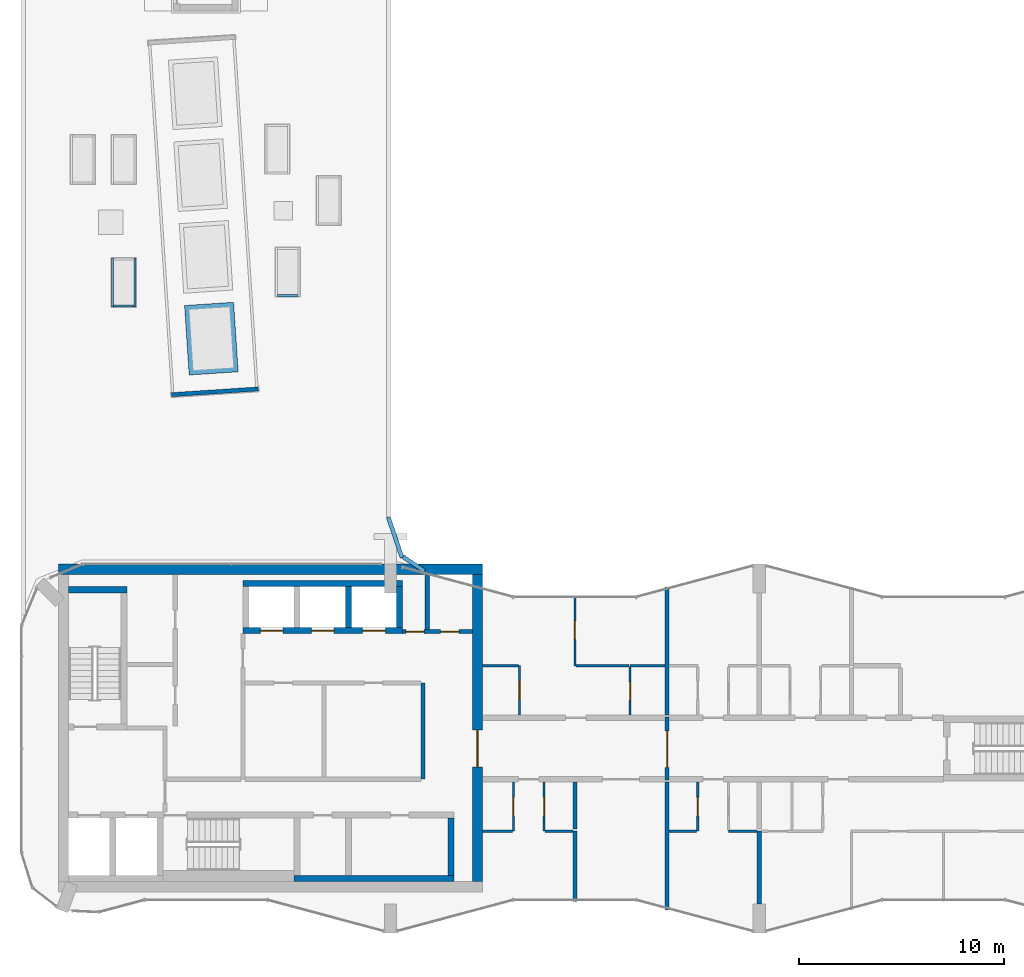
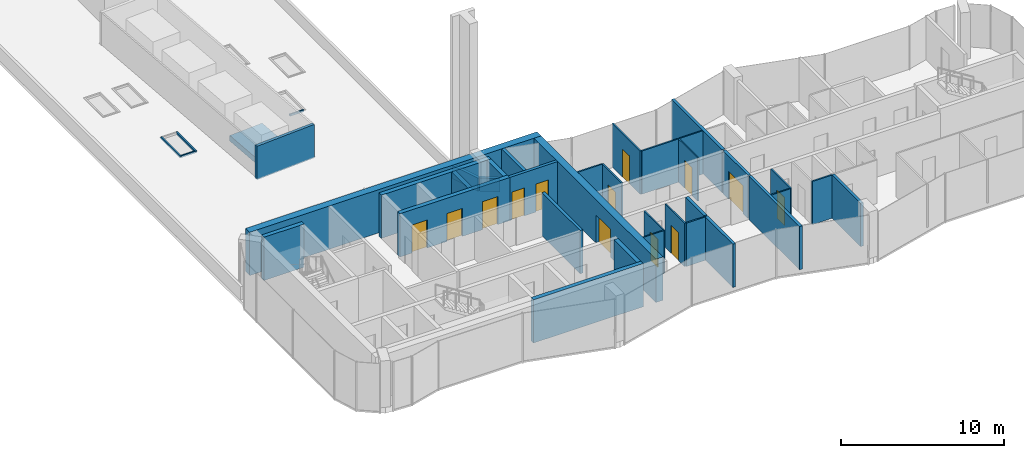
# One storey, part 8 of 13: 39 walls, 13 doors, 13 openings.
"""IFC4 building model written with IfcOpenShell, lengths in metres."""

from ifc_helpers import new_model, si_unit, direction, frame, frame_2d, origin, place, context, subcontext, project, spatial, rectangle, extrude, material, layer, layer_set, type_object, element, fill, save


model = new_model("IFC4")

# Units and contexts
model_context = context("Model", 3, precision=1e-05, world=origin(), true_north=direction((0.0, 1.0)))
body_context = subcontext(model_context, "Body", "Model", "MODEL_VIEW")
ifc_project = project(units=[si_unit("LENGTHUNIT", "METRE"), si_unit("AREAUNIT", "SQUARE_METRE"), si_unit("VOLUMEUNIT", "CUBIC_METRE"), si_unit("PLANEANGLEUNIT", "RADIAN"), si_unit("MASSUNIT", "GRAM", prefix="KILO")], contexts=[model_context])

# Site, building, storey
site_placement = place(None, origin())
site = spatial("IfcSite", under=ifc_project, at=site_placement, CompositionType="ELEMENT")
building_placement = place(site_placement, origin())
building = spatial("IfcBuilding", under=site, at=building_placement, Name="Plateau Cross Towers", CompositionType="ELEMENT")
storey_placement = place(building_placement, frame((0.0, 0.0, 229.39990234375)))
storey = spatial("IfcBuildingStorey", under=building, at=storey_placement, Name="L60", CompositionType="ELEMENT", Elevation=229.39990234375)

# Wall
ifc_material_1 = material(Name="Concrete block, plastered both sides", Category="concrete")
ifc_layer_1 = layer(ifc_material_1, 0.199951171875)
ifc_layer_set_1 = layer_set([ifc_layer_1], Name="Concrete block, plastered both sides")
wall_type_1 = type_object("IfcWallType", Name="Core partition 200", PredefinedType="PARTITIONING", material=ifc_layer_set_1)
wall_1_placement = place(storey_placement, frame((19.60009765625, 7.5, 0.0), z_axis=(0.0, 0.0, 1.0), x_axis=(0.0, 1.0, 0.0)))
element("IfcWall", 1, at=wall_1_placement, inside=storey, type_object=wall_type_1, Name="Core partition", PredefinedType="PARTITIONING", context=body_context, shape_type="SweptSolid", body=[
    extrude(rectangle(XDim=4.699951171875, YDim=0.199951171875, at=frame_2d((2.35009765625, 0.0))), origin(), (0.0, 0.0, 1.0), 3.25),
])

# Wall, openings, doors
wall_2_placement = place(storey_placement, frame((18.60009765625, 14.699951171875, 0.0), z_axis=(0.0, 0.0, 1.0), x_axis=(1.0, 0.0, 0.0)))
wall_2 = element("IfcWall", 2, at=wall_2_placement, inside=storey, type_object=wall_type_1, Name="Core partition", PredefinedType="PARTITIONING", context=body_context, shape_type="SweptSolid", body=[
    extrude(rectangle(XDim=3.39990234375, YDim=0.199951171875, at=frame_2d((1.699951171875, 0.0))), origin(), (0.0, 0.0, 1.0), 3.25),
])
opening_1_placement = place(wall_2_placement, frame((0.14990234375, 0.0, 0.0)))
opening_1 = element("IfcOpeningElement", 3, at=opening_1_placement, cuts=wall_2, Name="Opening RD2", PredefinedType="OPENING", context=body_context, shape_type="SweptSolid", body=[
    extrude(rectangle(XDim=0.89990234375, YDim=2.10009765625, at=frame_2d((0.449951171875, 1.050048828125))), frame((0.0, 0.10986328125, 0.0), z_axis=(0.0, -1.0, 0.0), x_axis=(1.0, 0.0, 0.0)), (0.0, 0.0, 1.0), 0.219970703125),
])
opening_2_placement = place(wall_2_placement, frame((1.85009765625, 0.0, 0.0)))
opening_2 = element("IfcOpeningElement", 4, at=opening_2_placement, cuts=wall_2, Name="Opening RD2", PredefinedType="OPENING", context=body_context, shape_type="SweptSolid", body=[
    extrude(rectangle(XDim=0.89990234375, YDim=2.10009765625, at=frame_2d((0.449951171875, 1.050048828125))), frame((0.0, 0.10986328125, 0.0), z_axis=(0.0, -1.0, 0.0), x_axis=(1.0, 0.0, 0.0)), (0.0, 0.0, 1.0), 0.219970703125),
])
ifc_material_2 = material(Name="Steel, fire-resisting leaf", Category="steel")
door_type_1 = type_object("IfcDoorType", Name="Core riser door 900", OperationType="NOTDEFINED", PredefinedType="DOOR", material=ifc_material_2)
door_1_placement = place(opening_1_placement, origin())
door_1 = element("IfcDoor", 5, at=door_1_placement, inside=storey, type_object=door_type_1, Name="Core riser door RD2", OperationType="SINGLE_SWING_LEFT", OverallHeight=2.10009765625, OverallWidth=0.89990234375, PredefinedType="DOOR", context=body_context, shape_type="SweptSolid", body=[
    extrude(rectangle(XDim=0.89990234375, YDim=2.10009765625, at=frame_2d((0.449951171875, 1.050048828125))), frame((0.0, 0.02490234375, 0.0), z_axis=(0.0, -1.0, 0.0), x_axis=(1.0, 0.0, 0.0)), (0.0, 0.0, 1.0), 0.050048828125),
])
fill(opening_1, door_1)
door_2_placement = place(opening_2_placement, origin())
door_2 = element("IfcDoor", 6, at=door_2_placement, inside=storey, type_object=door_type_1, Name="Core riser door RD2", OperationType="SINGLE_SWING_LEFT", OverallHeight=2.10009765625, OverallWidth=0.89990234375, PredefinedType="DOOR", context=body_context, shape_type="SweptSolid", body=[
    extrude(rectangle(XDim=0.89990234375, YDim=2.10009765625, at=frame_2d((0.449951171875, 1.050048828125))), frame((0.0, 0.02490234375, 0.0), z_axis=(0.0, -1.0, 0.0), x_axis=(1.0, 0.0, 0.0)), (0.0, 0.0, 1.0), 0.050048828125),
])
fill(opening_2, door_2)

# Walls
wall_3_placement = place(storey_placement, frame((19.800048828125, 14.800048828125, 0.0), z_axis=(0.0, 0.0, 1.0), x_axis=(0.0, 1.0, 0.0)))
element("IfcWall", 7, at=wall_3_placement, inside=storey, type_object=wall_type_1, Name="Core partition", PredefinedType="PARTITIONING", context=body_context, shape_type="SweptSolid", body=[
    extrude(rectangle(XDim=2.699951171875, YDim=0.199951171875, at=frame_2d((1.35009765625, 0.0))), origin(), (0.0, 0.0, 1.0), 3.25),
])
ifc_material_3 = material(Name="Concrete C60/75", Category="concrete")
ifc_layer_2 = layer(ifc_material_3, 0.300048828125)
ifc_layer_set_2 = layer_set([ifc_layer_2], Name="Concrete C60/75")
wall_type_2 = type_object("IfcWallType", Name="Core shaft wall 300", PredefinedType="SHEAR", material=ifc_layer_set_2)
wall_4_placement = place(storey_placement, frame((13.300048828125, 2.64990234375, 0.0), z_axis=(0.0, 0.0, 1.0), x_axis=(1.0, 0.0, 0.0)))
element("IfcWall", 8, at=wall_4_placement, inside=storey, type_object=wall_type_2, Name="A-sb-back3@L60", PredefinedType="SHEAR", context=body_context, shape_type="SweptSolid", body=[
    extrude(rectangle(XDim=7.800048828125, YDim=0.300048828125, at=frame_2d((3.89990234375, 0.0))), origin(), (0.0, 0.0, 1.0), 3.25),
])
wall_5_placement = place(storey_placement, frame((20.949951171875, 2.800048828125, 0.0), z_axis=(0.0, 0.0, 1.0), x_axis=(0.0, 1.0, 0.0)))
element("IfcWall", 9, at=wall_5_placement, inside=storey, type_object=wall_type_2, Name="A-sb-v6@L60", PredefinedType="SHEAR", context=body_context, shape_type="SweptSolid", body=[
    extrude(rectangle(XDim=2.800048828125, YDim=0.300048828125, at=frame_2d((1.39990234375, 0.0))), origin(), (0.0, 0.0, 1.0), 3.25),
])
wall_6_placement = place(storey_placement, frame((2.300048828125, 16.75, 0.0), z_axis=(0.0, 0.0, 1.0), x_axis=(1.0, 0.0, 0.0)))
element("IfcWall", 10, at=wall_6_placement, inside=storey, type_object=wall_type_2, Name="A-st1-N@L60", PredefinedType="SHEAR", context=body_context, shape_type="SweptSolid", body=[
    extrude(rectangle(XDim=2.849853515625, YDim=0.300048828125, at=frame_2d((1.4248046875, 0.0))), origin(), (0.0, 0.0, 1.0), 3.25),
])
wall_7_placement = place(storey_placement, frame((10.800048828125, 17.050048828125, 0.0), z_axis=(0.0, 0.0, 1.0), x_axis=(1.0, 0.0, 0.0)))
element("IfcWall", 11, at=wall_7_placement, inside=storey, type_object=wall_type_2, Name="A-nb-back@L60", PredefinedType="SHEAR", context=body_context, shape_type="SweptSolid", body=[
    extrude(rectangle(XDim=7.800048828125, YDim=0.300048828125, at=frame_2d((3.89990234375, 0.0))), origin(), (0.0, 0.0, 1.0), 3.25),
])

# Wall, openings, doors
wall_8_placement = place(storey_placement, frame((10.800048828125, 14.75, 0.0), z_axis=(0.0, 0.0, 1.0), x_axis=(1.0, 0.0, 0.0)))
wall_8 = element("IfcWall", 12, at=wall_8_placement, inside=storey, type_object=wall_type_2, Name="A-nb-front@L60", PredefinedType="SHEAR", context=body_context, shape_type="SweptSolid", body=[
    extrude(rectangle(XDim=7.800048828125, YDim=0.300048828125, at=frame_2d((3.89990234375, 0.0))), origin(), (0.0, 0.0, 1.0), 3.25),
])
opening_3_placement = place(wall_8_placement, frame((0.85009765625, 0.0, 0.0)))
opening_3 = element("IfcOpeningElement", 13, at=opening_3_placement, cuts=wall_8, Name="Opening LD", PredefinedType="OPENING", context=body_context, shape_type="SweptSolid", body=[
    extrude(rectangle(XDim=1.10009765625, YDim=2.10009765625, at=frame_2d((0.550048828125, 1.050048828125))), frame((0.0, 0.159912109375, 0.0), z_axis=(0.0, -1.0, 0.0), x_axis=(1.0, 0.0, 0.0)), (0.0, 0.0, 1.0), 0.320068359375),
])
opening_4_placement = place(wall_8_placement, frame((3.35009765625, 0.0, 0.0)))
opening_4 = element("IfcOpeningElement", 14, at=opening_4_placement, cuts=wall_8, Name="Opening LD", PredefinedType="OPENING", context=body_context, shape_type="SweptSolid", body=[
    extrude(rectangle(XDim=1.10009765625, YDim=2.10009765625, at=frame_2d((0.550048828125, 1.050048828125))), frame((0.0, 0.159912109375, 0.0), z_axis=(0.0, -1.0, 0.0), x_axis=(1.0, 0.0, 0.0)), (0.0, 0.0, 1.0), 0.320068359375),
])
opening_5_placement = place(wall_8_placement, frame((5.85009765625, 0.0, 0.0)))
opening_5 = element("IfcOpeningElement", 15, at=opening_5_placement, cuts=wall_8, Name="Opening LD", PredefinedType="OPENING", context=body_context, shape_type="SweptSolid", body=[
    extrude(rectangle(XDim=1.10009765625, YDim=2.10009765625, at=frame_2d((0.550048828125, 1.050048828125))), frame((0.0, 0.159912109375, 0.0), z_axis=(0.0, -1.0, 0.0), x_axis=(1.0, 0.0, 0.0)), (0.0, 0.0, 1.0), 0.320068359375),
])
ifc_material_4 = material(Name="Stainless steel, fire-resisting sliding leaves", Category="steel")
door_type_2 = type_object("IfcDoorType", Name="Lift landing door 1100", OperationType="NOTDEFINED", PredefinedType="DOOR", material=ifc_material_4)
door_3_placement = place(opening_3_placement, origin())
door_3 = element("IfcDoor", 16, at=door_3_placement, inside=storey, type_object=door_type_2, Name="Lift landing door LD", OperationType="DOUBLE_DOOR_SLIDING", OverallHeight=2.10009765625, OverallWidth=1.10009765625, PredefinedType="DOOR", context=body_context, shape_type="SweptSolid", body=[
    extrude(rectangle(XDim=1.10009765625, YDim=2.10009765625, at=frame_2d((0.550048828125, 1.050048828125))), frame((0.0, 0.02490234375, 0.0), z_axis=(0.0, -1.0, 0.0), x_axis=(1.0, 0.0, 0.0)), (0.0, 0.0, 1.0), 0.050048828125),
])
fill(opening_3, door_3)
door_4_placement = place(opening_4_placement, origin())
door_4 = element("IfcDoor", 17, at=door_4_placement, inside=storey, type_object=door_type_2, Name="Lift landing door LD", OperationType="DOUBLE_DOOR_SLIDING", OverallHeight=2.10009765625, OverallWidth=1.10009765625, PredefinedType="DOOR", context=body_context, shape_type="SweptSolid", body=[
    extrude(rectangle(XDim=1.10009765625, YDim=2.10009765625, at=frame_2d((0.550048828125, 1.050048828125))), frame((0.0, 0.02490234375, 0.0), z_axis=(0.0, -1.0, 0.0), x_axis=(1.0, 0.0, 0.0)), (0.0, 0.0, 1.0), 0.050048828125),
])
fill(opening_4, door_4)
door_5_placement = place(opening_5_placement, origin())
door_5 = element("IfcDoor", 18, at=door_5_placement, inside=storey, type_object=door_type_2, Name="Lift landing door LD", OperationType="DOUBLE_DOOR_SLIDING", OverallHeight=2.10009765625, OverallWidth=1.10009765625, PredefinedType="DOOR", context=body_context, shape_type="SweptSolid", body=[
    extrude(rectangle(XDim=1.10009765625, YDim=2.10009765625, at=frame_2d((0.550048828125, 1.050048828125))), frame((0.0, 0.02490234375, 0.0), z_axis=(0.0, -1.0, 0.0), x_axis=(1.0, 0.0, 0.0)), (0.0, 0.0, 1.0), 0.050048828125),
])
fill(opening_5, door_5)

# Walls
for number, where, z_axis, x_axis, name in (
    (19, (15.949951171875, 14.89990234375, 0.0), (0.0, 0.0, 1.0), (0.0, 1.0, 0.0), "A-nb-v3@L60"),
    (20, (18.449951171875, 14.89990234375, 0.0), (0.0, 0.0, 1.0), (0.0, 1.0, 0.0), "A-nb-v4@L60"),
):
    element("IfcWall", number, at=place(storey_placement, frame(where, z_axis=z_axis, x_axis=x_axis)), inside=storey, type_object=wall_type_2, Name=name, PredefinedType="SHEAR", context=body_context, shape_type="SweptSolid", body=[
        extrude(rectangle(XDim=2.0, YDim=0.300048828125, at=frame_2d((1.0, 0.0))), origin(), (0.0, 0.0, 1.0), 3.25),
    ])
ifc_layer_3 = layer(ifc_material_3, 0.5)
ifc_layer_set_3 = layer_set([ifc_layer_3], Name="Concrete C60/75")
wall_type_3 = type_object("IfcWallType", Name="Core shell wall 500", PredefinedType="SHEAR", material=ifc_layer_set_3)
wall_9_placement = place(storey_placement, frame((1.800048828125, 17.75, 0.0), z_axis=(0.0, 0.0, 1.0), x_axis=(1.0, 0.0, 0.0)))
element("IfcWall", 21, at=wall_9_placement, inside=storey, type_object=wall_type_3, Name="A-core-N@L60", PredefinedType="SHEAR", context=body_context, shape_type="SweptSolid", body=[
    extrude(rectangle(XDim=20.699951171875, YDim=0.5, at=frame_2d((10.35009765625, 0.0))), origin(), (0.0, 0.0, 1.0), 3.25),
])

# Wall, opening, door
wall_10_placement = place(storey_placement, frame((22.25, 2.5, 0.0), z_axis=(0.0, 0.0, 1.0), x_axis=(0.0, 1.0, 0.0)))
wall_10 = element("IfcWall", 22, at=wall_10_placement, inside=storey, type_object=wall_type_3, Name="A-core-E@L60", PredefinedType="SHEAR", context=body_context, shape_type="SweptSolid", body=[
    extrude(rectangle(XDim=15.0, YDim=0.5, at=frame_2d((7.5, 0.0))), origin(), (0.0, 0.0, 1.0), 3.25),
])
opening_6_placement = place(wall_10_placement, frame((5.60009765625, 0.0, 0.0)))
opening_6 = element("IfcOpeningElement", 23, at=opening_6_placement, cuts=wall_10, Name="Opening CD", PredefinedType="OPENING", context=body_context, shape_type="SweptSolid", body=[
    extrude(rectangle(XDim=1.800048828125, YDim=2.10009765625, at=frame_2d((0.89990234375, 1.050048828125))), frame((0.0, 0.260009765625, 0.0), z_axis=(0.0, -1.0, 0.0), x_axis=(1.0, 0.0, 0.0)), (0.0, 0.0, 1.0), 0.52001953125),
])
ifc_material_5 = material(Name="Steel, fire-resisting leaves", Category="steel")
door_type_3 = type_object("IfcDoorType", Name="Corridor door pair 1800", OperationType="NOTDEFINED", PredefinedType="DOOR", material=ifc_material_5)
door_6_placement = place(opening_6_placement, origin())
door_6 = element("IfcDoor", 24, at=door_6_placement, inside=storey, type_object=door_type_3, Name="Corridor door pair CD", OperationType="DOUBLE_DOOR_SINGLE_SWING", OverallHeight=2.10009765625, OverallWidth=1.800048828125, PredefinedType="DOOR", context=body_context, shape_type="SweptSolid", body=[
    extrude(rectangle(XDim=1.800048828125, YDim=2.10009765625, at=frame_2d((0.89990234375, 1.050048828125))), frame((0.0, 0.02490234375, 0.0), z_axis=(0.0, -1.0, 0.0), x_axis=(1.0, 0.0, 0.0)), (0.0, 0.0, 1.0), 0.050048828125),
])
fill(opening_6, door_6)

# Walls
ifc_material_6 = material(Name="Gypsum board on steel studs", Category="steel")
ifc_layer_4 = layer(ifc_material_6, 0.10009765625)
ifc_layer_set_4 = layer_set([ifc_layer_4], Name="Gypsum board on steel studs")
wall_type_4 = type_object("IfcWallType", Name="Flat partition 100", PredefinedType="PARTITIONING", material=ifc_layer_set_4)
wall_11_placement = place(storey_placement, frame((22.5, 4.96240234375, 0.0), z_axis=(0.0, 0.0, 1.0), x_axis=(1.0, 0.0, 0.0)))
element("IfcWall", 25, at=wall_11_placement, inside=storey, type_object=wall_type_4, Name="Partition wall", PredefinedType="PARTITIONING", context=body_context, shape_type="SweptSolid", body=[
    extrude(rectangle(XDim=1.449951171875, YDim=0.10009765625, at=frame_2d((0.72509765625, 0.0))), origin(), (0.0, 0.0, 1.0), 3.25),
])
for number, where, z_axis, x_axis, name in (
    (26, (25.550048828125, 4.96240234375, 0.0), (0.0, 0.0, 1.0), (1.0, 0.0, 0.0), "Partition wall"),
    (27, (31.60009765625, 4.96240234375, 0.0), (0.0, 0.0, 1.0), (1.0, 0.0, 0.0), "Partition wall"),
):
    element("IfcWall", number, at=place(storey_placement, frame(where, z_axis=z_axis, x_axis=x_axis)), inside=storey, type_object=wall_type_4, Name=name, PredefinedType="PARTITIONING", context=body_context, shape_type="SweptSolid", body=[
        extrude(rectangle(XDim=1.349853515625, YDim=0.10009765625, at=frame_2d((0.6748046875, 0.0))), origin(), (0.0, 0.0, 1.0), 3.25),
    ])
wall_12_placement = place(storey_placement, frame((34.5, 4.96240234375, 0.0), z_axis=(0.0, 0.0, 1.0), x_axis=(1.0, 0.0, 0.0)))
element("IfcWall", 28, at=wall_12_placement, inside=storey, type_object=wall_type_4, Name="Partition wall", PredefinedType="PARTITIONING", context=body_context, shape_type="SweptSolid", body=[
    extrude(rectangle(XDim=1.39990234375, YDim=0.10009765625, at=frame_2d((0.699951171875, 0.0))), origin(), (0.0, 0.0, 1.0), 3.25),
])
wall_13_placement = place(storey_placement, frame((24.25, 13.03759765625, 0.0), z_axis=(0.0, 0.0, 1.0), x_axis=(-1.0, 0.0, 0.0)))
element("IfcWall", 29, at=wall_13_placement, inside=storey, type_object=wall_type_4, Name="Partition wall", PredefinedType="PARTITIONING", context=body_context, shape_type="SweptSolid", body=[
    extrude(rectangle(XDim=1.75, YDim=0.10009765625, at=frame_2d((0.875, 0.0))), origin(), (0.0, 0.0, 1.0), 3.25),
])
wall_14_placement = place(storey_placement, frame((31.39990234375, 13.03759765625, 0.0), z_axis=(0.0, 0.0, 1.0), x_axis=(-1.0, 0.0, 0.0)))
element("IfcWall", 30, at=wall_14_placement, inside=storey, type_object=wall_type_4, Name="Partition wall", PredefinedType="PARTITIONING", context=body_context, shape_type="SweptSolid", body=[
    extrude(rectangle(XDim=1.699951171875, YDim=0.10009765625, at=frame_2d((0.85009765625, 0.0))), origin(), (0.0, 0.0, 1.0), 3.25),
])
wall_15_placement = place(storey_placement, frame((27.050048828125, 13.03759765625, 0.0), z_axis=(0.0, 0.0, 1.0), x_axis=(1.0, 0.0, 0.0)))
element("IfcWall", 31, at=wall_15_placement, inside=storey, type_object=wall_type_4, Name="Partition wall", PredefinedType="PARTITIONING", context=body_context, shape_type="SweptSolid", body=[
    extrude(rectangle(XDim=2.599853515625, YDim=0.10009765625, at=frame_2d((1.2998046875, 0.0))), origin(), (0.0, 0.0, 1.0), 3.25),
])

# Wall, opening, door
wall_16_placement = place(storey_placement, frame((24.0, 4.96240234375, 0.0), z_axis=(0.0, 0.0, 1.0), x_axis=(0.0, 1.0, 0.0)))
wall_16 = element("IfcWall", 32, at=wall_16_placement, inside=storey, type_object=wall_type_4, Name="Partition wall", PredefinedType="PARTITIONING", context=body_context, shape_type="SweptSolid", body=[
    extrude(rectangle(XDim=2.400146484375, YDim=0.10009765625, at=frame_2d((1.2001953125, 0.0))), origin(), (0.0, 0.0, 1.0), 3.25),
])
opening_7_placement = place(wall_16_placement, frame((0.75, 0.0, 0.0)))
opening_7 = element("IfcOpeningElement", 33, at=opening_7_placement, cuts=wall_16, Name="Opening 60-12", PredefinedType="OPENING", context=body_context, shape_type="SweptSolid", body=[
    extrude(rectangle(XDim=0.89990234375, YDim=2.10009765625, at=frame_2d((0.449951171875, 1.050048828125))), frame((0.0, 0.06005859375, 0.0), z_axis=(0.0, -1.0, 0.0), x_axis=(1.0, 0.0, 0.0)), (0.0, 0.0, 1.0), 0.1201171875),
])
ifc_material_7 = material(Name="Timber leaf", Category="wood")
door_type_4 = type_object("IfcDoorType", Name="Flat room door 900", OperationType="NOTDEFINED", PredefinedType="DOOR", material=ifc_material_7)
door_7_placement = place(opening_7_placement, origin())
door_7 = element("IfcDoor", 34, at=door_7_placement, inside=storey, type_object=door_type_4, Name="Door 60-12", OperationType="SINGLE_SWING_RIGHT", OverallHeight=2.10009765625, OverallWidth=0.89990234375, PredefinedType="DOOR", context=body_context, shape_type="SweptSolid", body=[
    extrude(rectangle(XDim=0.89990234375, YDim=2.10009765625, at=frame_2d((0.449951171875, 1.050048828125))), frame((0.0, 0.02490234375, 0.0), z_axis=(0.0, -1.0, 0.0), x_axis=(1.0, 0.0, 0.0)), (0.0, 0.0, 1.0), 0.050048828125),
])
fill(opening_7, door_7)

wall_17_placement = place(storey_placement, frame((24.300048828125, 10.637451171875, 0.0), z_axis=(0.0, 0.0, 1.0), x_axis=(0.0, 1.0, 0.0)))
wall_17 = element("IfcWall", 35, at=wall_17_placement, inside=storey, type_object=wall_type_4, Name="Partition wall", PredefinedType="PARTITIONING", context=body_context, shape_type="SweptSolid", body=[
    extrude(rectangle(XDim=2.400146484375, YDim=0.10009765625, at=frame_2d((1.2001953125, 0.0))), origin(), (0.0, 0.0, 1.0), 3.25),
])
opening_8_placement = place(wall_17_placement, frame((0.75, 0.0, 0.0)))
opening_8 = element("IfcOpeningElement", 36, at=opening_8_placement, cuts=wall_17, Name="Opening 60-21", PredefinedType="OPENING", context=body_context, shape_type="SweptSolid", body=[
    extrude(rectangle(XDim=0.89990234375, YDim=2.10009765625, at=frame_2d((0.449951171875, 1.050048828125))), frame((0.0, 0.06005859375, 0.0), z_axis=(0.0, -1.0, 0.0), x_axis=(1.0, 0.0, 0.0)), (0.0, 0.0, 1.0), 0.1201171875),
])
door_8_placement = place(opening_8_placement, origin())
door_8 = element("IfcDoor", 37, at=door_8_placement, inside=storey, type_object=door_type_4, Name="Door 60-21", OperationType="SINGLE_SWING_LEFT", OverallHeight=2.10009765625, OverallWidth=0.89990234375, PredefinedType="DOOR", context=body_context, shape_type="SweptSolid", body=[
    extrude(rectangle(XDim=0.89990234375, YDim=2.10009765625, at=frame_2d((0.449951171875, 1.050048828125))), frame((0.0, 0.02490234375, 0.0), z_axis=(0.0, -1.0, 0.0), x_axis=(1.0, 0.0, 0.0)), (0.0, 0.0, 1.0), 0.050048828125),
])
fill(opening_8, door_8)

wall_18_placement = place(storey_placement, frame((25.5, 7.362548828125, 0.0), z_axis=(0.0, 0.0, 1.0), x_axis=(0.0, -1.0, 0.0)))
wall_18 = element("IfcWall", 38, at=wall_18_placement, inside=storey, type_object=wall_type_4, Name="Partition wall", PredefinedType="PARTITIONING", context=body_context, shape_type="SweptSolid", body=[
    extrude(rectangle(XDim=2.400146484375, YDim=0.10009765625, at=frame_2d((1.2001953125, 0.0))), origin(), (0.0, 0.0, 1.0), 3.25),
])
opening_9_placement = place(wall_18_placement, frame((0.75, 0.0, 0.0)))
opening_9 = element("IfcOpeningElement", 39, at=opening_9_placement, cuts=wall_18, Name="Opening 60-13", PredefinedType="OPENING", context=body_context, shape_type="SweptSolid", body=[
    extrude(rectangle(XDim=0.89990234375, YDim=2.10009765625, at=frame_2d((0.449951171875, 1.050048828125))), frame((0.0, 0.06005859375, 0.0), z_axis=(0.0, -1.0, 0.0), x_axis=(1.0, 0.0, 0.0)), (0.0, 0.0, 1.0), 0.1201171875),
])
door_9_placement = place(opening_9_placement, origin())
door_9 = element("IfcDoor", 40, at=door_9_placement, inside=storey, type_object=door_type_4, Name="Door 60-13", OperationType="SINGLE_SWING_RIGHT", OverallHeight=2.10009765625, OverallWidth=0.89990234375, PredefinedType="DOOR", context=body_context, shape_type="SweptSolid", body=[
    extrude(rectangle(XDim=0.89990234375, YDim=2.10009765625, at=frame_2d((0.449951171875, 1.050048828125))), frame((0.0, 0.02490234375, 0.0), z_axis=(0.0, -1.0, 0.0), x_axis=(1.0, 0.0, 0.0)), (0.0, 0.0, 1.0), 0.050048828125),
])
fill(opening_9, door_9)

wall_19_placement = place(storey_placement, frame((27.0, 16.47314453125, 0.0), z_axis=(0.0, 0.0, 1.0), x_axis=(0.0, -1.0, 0.0)))
wall_19 = element("IfcWall", 41, at=wall_19_placement, inside=storey, type_object=wall_type_4, Name="Partition wall", PredefinedType="PARTITIONING", context=body_context, shape_type="SweptSolid", body=[
    extrude(rectangle(XDim=3.435546875, YDim=0.10009765625, at=frame_2d((1.7177734375, 0.0))), origin(), (0.0, 0.0, 1.0), 3.25),
])
opening_10_placement = place(wall_19_placement, frame((1.25, 0.0, 0.0)))
opening_10 = element("IfcOpeningElement", 42, at=opening_10_placement, cuts=wall_19, Name="Opening 60-23", PredefinedType="OPENING", context=body_context, shape_type="SweptSolid", body=[
    extrude(rectangle(XDim=0.89990234375, YDim=2.10009765625, at=frame_2d((0.449951171875, 1.050048828125))), frame((0.0, 0.06005859375, 0.0), z_axis=(0.0, -1.0, 0.0), x_axis=(1.0, 0.0, 0.0)), (0.0, 0.0, 1.0), 0.1201171875),
])
door_10_placement = place(opening_10_placement, origin())
door_10 = element("IfcDoor", 43, at=door_10_placement, inside=storey, type_object=door_type_4, Name="Door 60-23", OperationType="SINGLE_SWING_LEFT", OverallHeight=2.10009765625, OverallWidth=0.89990234375, PredefinedType="DOOR", context=body_context, shape_type="SweptSolid", body=[
    extrude(rectangle(XDim=0.89990234375, YDim=2.10009765625, at=frame_2d((0.449951171875, 1.050048828125))), frame((0.0, 0.02490234375, 0.0), z_axis=(0.0, -1.0, 0.0), x_axis=(1.0, 0.0, 0.0)), (0.0, 0.0, 1.0), 0.050048828125),
])
fill(opening_10, door_10)

wall_20_placement = place(storey_placement, frame((29.699951171875, 12.987548828125, 0.0), z_axis=(0.0, 0.0, 1.0), x_axis=(0.0, -1.0, 0.0)))
wall_20 = element("IfcWall", 44, at=wall_20_placement, inside=storey, type_object=wall_type_4, Name="Partition wall", PredefinedType="PARTITIONING", context=body_context, shape_type="SweptSolid", body=[
    extrude(rectangle(XDim=2.35009765625, YDim=0.10009765625, at=frame_2d((1.175048828125, 0.0))), origin(), (0.0, 0.0, 1.0), 3.25),
])
opening_11_placement = place(wall_20_placement, frame((0.75, 0.0, 0.0)))
opening_11 = element("IfcOpeningElement", 45, at=opening_11_placement, cuts=wall_20, Name="Opening 60-22", PredefinedType="OPENING", context=body_context, shape_type="SweptSolid", body=[
    extrude(rectangle(XDim=0.89990234375, YDim=2.10009765625, at=frame_2d((0.449951171875, 1.050048828125))), frame((0.0, 0.06005859375, 0.0), z_axis=(0.0, -1.0, 0.0), x_axis=(1.0, 0.0, 0.0)), (0.0, 0.0, 1.0), 0.1201171875),
])
door_11_placement = place(opening_11_placement, origin())
door_11 = element("IfcDoor", 46, at=door_11_placement, inside=storey, type_object=door_type_4, Name="Door 60-22", OperationType="SINGLE_SWING_RIGHT", OverallHeight=2.10009765625, OverallWidth=0.89990234375, PredefinedType="DOOR", context=body_context, shape_type="SweptSolid", body=[
    extrude(rectangle(XDim=0.89990234375, YDim=2.10009765625, at=frame_2d((0.449951171875, 1.050048828125))), frame((0.0, 0.02490234375, 0.0), z_axis=(0.0, -1.0, 0.0), x_axis=(1.0, 0.0, 0.0)), (0.0, 0.0, 1.0), 0.050048828125),
])
fill(opening_11, door_11)

wall_21_placement = place(storey_placement, frame((33.0, 4.96240234375, 0.0), z_axis=(0.0, 0.0, 1.0), x_axis=(0.0, 1.0, 0.0)))
wall_21 = element("IfcWall", 47, at=wall_21_placement, inside=storey, type_object=wall_type_4, Name="Partition wall", PredefinedType="PARTITIONING", context=body_context, shape_type="SweptSolid", body=[
    extrude(rectangle(XDim=2.400146484375, YDim=0.10009765625, at=frame_2d((1.2001953125, 0.0))), origin(), (0.0, 0.0, 1.0), 3.25),
])
opening_12_placement = place(wall_21_placement, frame((0.75, 0.0, 0.0)))
opening_12 = element("IfcOpeningElement", 48, at=opening_12_placement, cuts=wall_21, Name="Opening 60-14", PredefinedType="OPENING", context=body_context, shape_type="SweptSolid", body=[
    extrude(rectangle(XDim=0.89990234375, YDim=2.10009765625, at=frame_2d((0.449951171875, 1.050048828125))), frame((0.0, 0.06005859375, 0.0), z_axis=(0.0, -1.0, 0.0), x_axis=(1.0, 0.0, 0.0)), (0.0, 0.0, 1.0), 0.1201171875),
])
door_12_placement = place(opening_12_placement, origin())
door_12 = element("IfcDoor", 49, at=door_12_placement, inside=storey, type_object=door_type_4, Name="Door 60-14", OperationType="SINGLE_SWING_RIGHT", OverallHeight=2.10009765625, OverallWidth=0.89990234375, PredefinedType="DOOR", context=body_context, shape_type="SweptSolid", body=[
    extrude(rectangle(XDim=0.89990234375, YDim=2.10009765625, at=frame_2d((0.449951171875, 1.050048828125))), frame((0.0, 0.02490234375, 0.0), z_axis=(0.0, -1.0, 0.0), x_axis=(1.0, 0.0, 0.0)), (0.0, 0.0, 1.0), 0.050048828125),
])
fill(opening_12, door_12)

# Walls
ifc_material_8 = material(Name="Gypsum board on steel studs, two layers each side", Category="steel")
ifc_layer_5 = layer(ifc_material_8, 0.199951171875)
ifc_layer_set_5 = layer_set([ifc_layer_5], Name="Gypsum board on steel studs, two layers each side")
wall_type_5 = type_object("IfcWallType", Name="Flat party wall 200", PredefinedType="PARTITIONING", material=ifc_layer_set_5)
wall_22_placement = place(storey_placement, frame((27.0, 4.96240234375, 0.0), z_axis=(0.0, 0.0, 1.0), x_axis=(0.0, -1.0, 0.0)))
element("IfcWall", 50, at=wall_22_placement, inside=storey, type_object=wall_type_5, Name="Party wall", PredefinedType="PARTITIONING", context=body_context, shape_type="SweptSolid", body=[
    extrude(rectangle(XDim=3.435546875, YDim=0.199951171875, at=frame_2d((1.7177734375, 0.0))), origin(), (0.0, 0.0, 1.0), 3.25),
])
wall_23_placement = place(storey_placement, frame((27.0, 5.0625, 0.0), z_axis=(0.0, 0.0, 1.0), x_axis=(0.0, 1.0, 0.0)))
element("IfcWall", 51, at=wall_23_placement, inside=storey, type_object=wall_type_5, Name="Party wall", PredefinedType="PARTITIONING", context=body_context, shape_type="SweptSolid", body=[
    extrude(rectangle(XDim=2.300048828125, YDim=0.199951171875, at=frame_2d((1.14990234375, 0.0))), origin(), (0.0, 0.0, 1.0), 3.25),
])
for number, where, z_axis, x_axis, name in (
    (52, (31.5, 1.122314453125, 0.0), (0.0, 0.0, 1.0), (0.0, 1.0, 0.0), "Party wall"),
    (53, (31.5, 10.637451171875, 0.0), (0.0, 0.0, 1.0), (0.0, 1.0, 0.0), "Party wall"),
):
    element("IfcWall", number, at=place(storey_placement, frame(where, z_axis=z_axis, x_axis=x_axis)), inside=storey, type_object=wall_type_5, Name=name, PredefinedType="PARTITIONING", context=body_context, shape_type="SweptSolid", body=[
        extrude(rectangle(XDim=6.240234375, YDim=0.199951171875, at=frame_2d((3.1201171875, 0.0))), origin(), (0.0, 0.0, 1.0), 3.25),
    ])
wall_24_placement = place(storey_placement, frame((36.0, 4.96240234375, 0.0), z_axis=(0.0, 0.0, 1.0), x_axis=(0.0, -1.0, 0.0)))
element("IfcWall", 54, at=wall_24_placement, inside=storey, type_object=wall_type_5, Name="Party wall", PredefinedType="PARTITIONING", context=body_context, shape_type="SweptSolid", body=[
    extrude(rectangle(XDim=3.5625, YDim=0.199951171875, at=frame_2d((1.78125, 0.0))), origin(), (0.0, 0.0, 1.0), 3.25),
])

# Wall, opening, door
wall_25_placement = place(storey_placement, frame((31.5, 7.46240234375, 0.0), z_axis=(0.0, 0.0, 1.0), x_axis=(0.0, 1.0, 0.0)))
wall_25 = element("IfcWall", 55, at=wall_25_placement, inside=storey, type_object=wall_type_5, Name="Party wall", PredefinedType="PARTITIONING", context=body_context, shape_type="SweptSolid", body=[
    extrude(rectangle(XDim=3.0751953125, YDim=0.199951171875, at=frame_2d((1.53759765625, 0.0))), origin(), (0.0, 0.0, 1.0), 3.25),
])
opening_13_placement = place(wall_25_placement, frame((0.60009765625, 0.0, 0.0)))
opening_13 = element("IfcOpeningElement", 56, at=opening_13_placement, cuts=wall_25, Name="Opening 60-10", PredefinedType="OPENING", context=body_context, shape_type="SweptSolid", body=[
    extrude(rectangle(XDim=1.800048828125, YDim=2.10009765625, at=frame_2d((0.89990234375, 1.050048828125))), frame((0.0, 0.10986328125, 0.0), z_axis=(0.0, -1.0, 0.0), x_axis=(1.0, 0.0, 0.0)), (0.0, 0.0, 1.0), 0.219970703125),
])
ifc_material_9 = material(Name="Timber, fire-resisting leaves", Category="wood")
door_type_5 = type_object("IfcDoorType", Name="Flat floor fire door pair 1800", OperationType="NOTDEFINED", PredefinedType="DOOR", material=ifc_material_9)
door_13_placement = place(opening_13_placement, origin())
door_13 = element("IfcDoor", 57, at=door_13_placement, inside=storey, type_object=door_type_5, Name="Door 60-10", OperationType="SINGLE_SWING_LEFT", OverallHeight=2.10009765625, OverallWidth=1.800048828125, PredefinedType="DOOR", context=body_context, shape_type="SweptSolid", body=[
    extrude(rectangle(XDim=1.800048828125, YDim=2.10009765625, at=frame_2d((0.89990234375, 1.050048828125))), frame((0.0, 0.02490234375, 0.0), z_axis=(0.0, -1.0, 0.0), x_axis=(1.0, 0.0, 0.0)), (0.0, 0.0, 1.0), 0.050048828125),
])
fill(opening_13, door_13)

# Walls
ifc_material_10 = material(Name="Concrete C30/37", Category="concrete")
ifc_layer_6 = layer(ifc_material_10, 0.199951171875)
ifc_layer_set_6 = layer_set([ifc_layer_6], Name="Concrete C30/37")
wall_type_6 = type_object("IfcWallType", Name="Parapet wall 200", PredefinedType="PARAPET", material=ifc_layer_set_6)
wall_26_placement = place(storey_placement, frame((17.89990234375, 20.28564453125, 0.0), z_axis=(0.0, 0.0, 1.0), x_axis=(0.321506941149, -0.946907221851, 0.0)))
element("IfcWall", 58, at=wall_26_placement, inside=storey, type_object=wall_type_6, Name="Parapet 8", PredefinedType="PARAPET", context=body_context, shape_type="SweptSolid", body=[
    extrude(rectangle(XDim=2.0791015625, YDim=0.199951171875, at=frame_2d((1.03955078125, 0.0))), origin(), (0.0, 0.0, 1.0), 1.0),
])
wall_27_placement = place(storey_placement, frame((18.619384765625, 18.35595703125, 0.0), z_axis=(0.0, 0.0, 1.0), x_axis=(0.831571950254, -0.555417042907, 0.0)))
element("IfcWall", 59, at=wall_27_placement, inside=storey, type_object=wall_type_6, Name="Parapet 9", PredefinedType="PARAPET", context=body_context, shape_type="SweptSolid", body=[
    extrude(rectangle(XDim=1.257080078125, YDim=0.199951171875, at=frame_2d((0.62841796875, 0.0))), origin(), (0.0, 0.0, 1.0), 1.0),
])
ifc_material_11 = material(Name="Precast concrete C40/50", Category="concrete")
ifc_layer_7 = layer(ifc_material_11, 0.199951171875)
ifc_layer_set_7 = layer_set([ifc_layer_7], Name="Precast concrete C40/50")
wall_type_7 = type_object("IfcWallType", Name="Plant enclosure wall 200", PredefinedType="STANDARD", material=ifc_layer_set_7)
wall_28_placement = place(storey_placement, frame((7.3193359375, 26.265625, 0.0), z_axis=(0.0, 0.0, 1.0), x_axis=(0.997835819564, 0.065754674319, 0.0)))
element("IfcWall", 60, at=wall_28_placement, inside=storey, type_object=wall_type_7, Name="Plant enclosure wall east", PredefinedType="STANDARD", context=body_context, shape_type="SweptSolid", body=[
    extrude(rectangle(XDim=4.240234375, YDim=0.199951171875, at=frame_2d((2.1201171875, 0.0))), origin(), (0.0, 0.0, 1.0), 2.52001953125),
])
ifc_layer_8 = layer(ifc_material_10, 2.0)
ifc_layer_set_8 = layer_set([ifc_layer_8], Name="Concrete C30/37")
wall_type_8 = type_object("IfcWallType", Name="Plant plinth 300", PredefinedType="STANDARD", material=ifc_layer_set_8)
wall_29_placement = place(storey_placement, frame((9.15185546875, 30.69580078125, 0.0), z_axis=(0.0, 0.0, 1.0), x_axis=(0.065770787793, -0.997834757599, 0.0)))
element("IfcWall", 61, at=wall_29_placement, inside=storey, type_object=wall_type_8, Name="Plant plinth 4", PredefinedType="STANDARD", context=body_context, shape_type="SweptSolid", body=[
    extrude(rectangle(XDim=3.400146484375, YDim=2.39990234375, at=frame_2d((1.7001953125, 0.0))), origin(), (0.0, 0.0, 1.0), 0.420166015625),
])
ifc_layer_9 = layer(ifc_material_10, 0.10009765625)
ifc_layer_set_9 = layer_set([ifc_layer_9], Name="Concrete C30/37")
wall_type_9 = type_object("IfcWallType", Name="Rooflight kerb 100", PredefinedType="STANDARD", material=ifc_layer_set_9)
for number, where, z_axis, x_axis, name in (
    (62, (4.43798828125, 30.5439453125, 0.0), (0.0, 0.0, 1.0), (0.0, 1.0, 0.0), "Rooflight RL1 1 kerb"),
    (63, (5.5380859375, 30.5439453125, 0.0), (0.0, 0.0, 1.0), (0.0, 1.0, 0.0), "Rooflight RL1 1 kerb"),
):
    element("IfcWall", number, at=place(storey_placement, frame(where, z_axis=z_axis, x_axis=x_axis)), inside=storey, type_object=wall_type_9, Name=name, PredefinedType="STANDARD", context=body_context, shape_type="SweptSolid", body=[
        extrude(rectangle(XDim=2.400146484375, YDim=0.10009765625, at=frame_2d((1.2001953125, 0.0))), origin(), (0.0, 0.0, 1.0), 0.150146484375),
    ])
for number, where, z_axis, x_axis, name in (
    (64, (4.488037109375, 30.593994140625, 0.0), (0.0, 0.0, 1.0), (1.0, 0.0, 0.0), "Rooflight RL1 1 kerb"),
    (65, (12.488037109375, 31.093994140625, 0.0), (0.0, 0.0, 1.0), (1.0, 0.0, 0.0), "Rooflight RL1 2 kerb"),
):
    element("IfcWall", number, at=place(storey_placement, frame(where, z_axis=z_axis, x_axis=x_axis)), inside=storey, type_object=wall_type_9, Name=name, PredefinedType="STANDARD", context=body_context, shape_type="SweptSolid", body=[
        extrude(rectangle(XDim=1.0, YDim=0.10009765625, at=frame_2d((0.5, 0.0))), origin(), (0.0, 0.0, 1.0), 0.150146484375),
    ])

save(model, "model.ifc")
